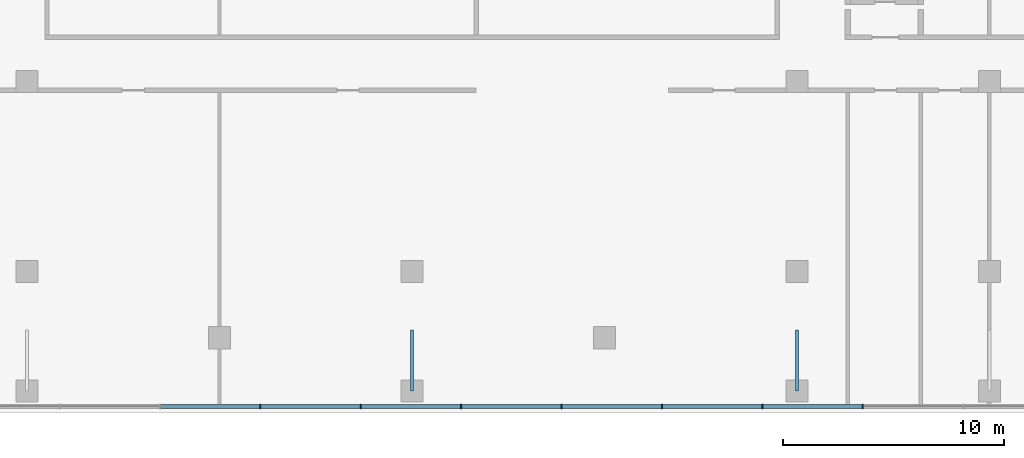
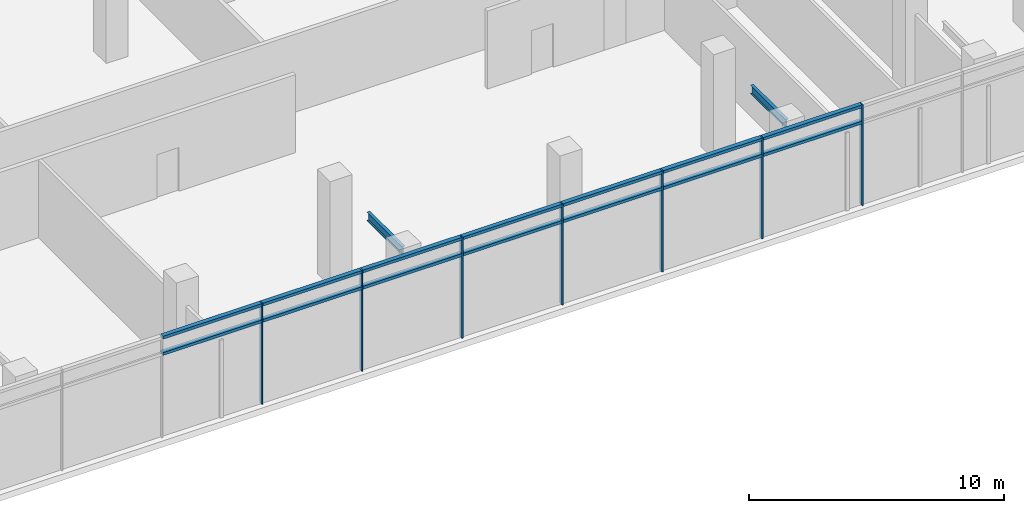
# One storey, part 4 of 17: 21 members, 2 beams, 1 element without a shape of its own.
"""IFC4 building model written with IfcOpenShell, lengths in metres."""

from ifc_helpers import new_model, si_unit, direction, frame, origin, origin_2d, place, context, subcontext, project, spatial, rectangle, i_section, extrude, material, material_profile, profile_set, type_object, element, aggregate, save


model = new_model("IFC4")

# Units and contexts
model_context = context("Model", 3, precision=1e-05, world=origin(), true_north=direction((0.0, 1.0)))
body_context = subcontext(model_context, "Body", "Model", "MODEL_VIEW")
ifc_project = project(units=[si_unit("LENGTHUNIT", "METRE"), si_unit("AREAUNIT", "SQUARE_METRE"), si_unit("VOLUMEUNIT", "CUBIC_METRE"), si_unit("PLANEANGLEUNIT", "RADIAN"), si_unit("MASSUNIT", "GRAM", prefix="KILO")], contexts=[model_context])

# Site, building, storey
site_placement = place(None, origin())
site = spatial("IfcSite", under=ifc_project, at=site_placement, CompositionType="ELEMENT")
building_placement = place(site_placement, origin())
building = spatial("IfcBuilding", under=site, at=building_placement, Name="Bicima Exchange Tower", CompositionType="ELEMENT")
storey_placement = place(building_placement, frame((0.0, 0.0, 30.0)))
storey = spatial("IfcBuildingStorey", under=building, at=storey_placement, Name="L05", CompositionType="ELEMENT", Elevation=30.0)

# Curtain wall, members
ifc_material_1 = material(Name="Anodised bronze aluminium", Category="aluminium")
curtain_wall_type = type_object("IfcCurtainWallType", Name="Lobby glazing", PredefinedType="NOTDEFINED", material=ifc_material_1)
curtain_wall_placement = place(storey_placement, origin())
curtain_wall = element("IfcCurtainWall", 1, at=curtain_wall_placement, inside=storey, type_object=curtain_wall_type, Name="Podium glazing L05 south 1", PredefinedType="NOTDEFINED")
ifc_material_profile_1 = material_profile(ifc_material_1, rectangle(XDim=0.199951171875, YDim=0.06005859375, at=origin_2d()))
ifc_profile_set_1 = profile_set([ifc_material_profile_1], Name="Anodised bronze aluminium")
member_type_1 = type_object("IfcMemberType", Name="Lobby glazing mullion 60 x 200", PredefinedType="MULLION", material=ifc_profile_set_1)
member_1_placement = place(storey_placement, frame((-6.8583984375, -45.699951171875, 0.0), z_axis=(0.0, 0.0, 1.0), x_axis=(0.0, 1.0, 0.0)))
member_1 = element("IfcMember", 2, at=member_1_placement, type_object=member_type_1, Name="Lobby glazing mullion 9", PredefinedType="MULLION", context=body_context, shape_type="SweptSolid", body=[
    extrude(rectangle(XDim=0.199951171875, YDim=0.06005859375, at=origin_2d()), origin(), (0.0, 0.0, 1.0), 4.85009765625),
])
member_2_placement = place(storey_placement, frame((-2.319580078125, -45.699951171875, 0.0), z_axis=(0.0, 0.0, 1.0), x_axis=(0.0, 1.0, 0.0)))
member_2 = element("IfcMember", 3, at=member_2_placement, type_object=member_type_1, Name="Lobby glazing mullion 10", PredefinedType="MULLION", context=body_context, shape_type="SweptSolid", body=[
    extrude(rectangle(XDim=0.199951171875, YDim=0.06005859375, at=origin_2d()), origin(), (0.0, 0.0, 1.0), 4.85009765625),
])
member_3_placement = place(storey_placement, frame((2.219482421875, -45.699951171875, 0.0), z_axis=(0.0, 0.0, 1.0), x_axis=(0.0, 1.0, 0.0)))
member_3 = element("IfcMember", 4, at=member_3_placement, type_object=member_type_1, Name="Lobby glazing mullion 11", PredefinedType="MULLION", context=body_context, shape_type="SweptSolid", body=[
    extrude(rectangle(XDim=0.199951171875, YDim=0.06005859375, at=origin_2d()), origin(), (0.0, 0.0, 1.0), 4.85009765625),
])
member_4_placement = place(storey_placement, frame((6.75830078125, -45.699951171875, 0.0), z_axis=(0.0, 0.0, 1.0), x_axis=(0.0, 1.0, 0.0)))
member_4 = element("IfcMember", 5, at=member_4_placement, type_object=member_type_1, Name="Lobby glazing mullion 12", PredefinedType="MULLION", context=body_context, shape_type="SweptSolid", body=[
    extrude(rectangle(XDim=0.199951171875, YDim=0.06005859375, at=origin_2d()), origin(), (0.0, 0.0, 1.0), 4.85009765625),
])
member_5_placement = place(storey_placement, frame((11.29736328125, -45.699951171875, 0.0), z_axis=(0.0, 0.0, 1.0), x_axis=(0.0, 1.0, 0.0)))
member_5 = element("IfcMember", 6, at=member_5_placement, type_object=member_type_1, Name="Lobby glazing mullion 13", PredefinedType="MULLION", context=body_context, shape_type="SweptSolid", body=[
    extrude(rectangle(XDim=0.199951171875, YDim=0.06005859375, at=origin_2d()), origin(), (0.0, 0.0, 1.0), 4.85009765625),
])
member_6_placement = place(storey_placement, frame((15.836181640625, -45.699951171875, 0.0), z_axis=(0.0, 0.0, 1.0), x_axis=(0.0, 1.0, 0.0)))
member_6 = element("IfcMember", 7, at=member_6_placement, type_object=member_type_1, Name="Lobby glazing mullion 14", PredefinedType="MULLION", context=body_context, shape_type="SweptSolid", body=[
    extrude(rectangle(XDim=0.199951171875, YDim=0.06005859375, at=origin_2d()), origin(), (0.0, 0.0, 1.0), 4.85009765625),
])
member_7_placement = place(storey_placement, frame((20.375244140625, -45.699951171875, 0.0), z_axis=(0.0, 0.0, 1.0), x_axis=(0.0, 1.0, 0.0)))
member_7 = element("IfcMember", 8, at=member_7_placement, type_object=member_type_1, Name="Lobby glazing mullion 15", PredefinedType="MULLION", context=body_context, shape_type="SweptSolid", body=[
    extrude(rectangle(XDim=0.199951171875, YDim=0.06005859375, at=origin_2d()), origin(), (0.0, 0.0, 1.0), 4.85009765625),
])
ifc_material_profile_2 = material_profile(ifc_material_1, rectangle(XDim=0.199951171875, YDim=0.139892578125, at=origin_2d()))
ifc_profile_set_2 = profile_set([ifc_material_profile_2], Name="Anodised bronze aluminium")
member_type_2 = type_object("IfcMemberType", Name="Lobby glazing transom 140 x 200", PredefinedType="USERDEFINED", material=ifc_profile_set_2)
member_8_placement = place(storey_placement, frame((-11.367431640625, -45.699951171875, 4.0), z_axis=(1.0, 0.0, 0.0), x_axis=(0.0, 1.0, 0.0)))
member_8 = element("IfcMember", 9, at=member_8_placement, type_object=member_type_2, Name="Lobby glazing transom 8.1", ObjectType="TRANSOM", PredefinedType="USERDEFINED", context=body_context, shape_type="SweptSolid", body=[
    extrude(rectangle(XDim=0.199951171875, YDim=0.139892578125, at=origin_2d()), origin(), (0.0, 0.0, 1.0), 4.47900390625),
])
member_9_placement = place(storey_placement, frame((-11.367431640625, -45.699951171875, 4.780029296875), z_axis=(1.0, 0.0, 0.0), x_axis=(0.0, 1.0, 0.0)))
member_9 = element("IfcMember", 10, at=member_9_placement, type_object=member_type_2, Name="Lobby glazing transom 8.2", ObjectType="TRANSOM", PredefinedType="USERDEFINED", context=body_context, shape_type="SweptSolid", body=[
    extrude(rectangle(XDim=0.199951171875, YDim=0.139892578125, at=origin_2d()), origin(), (0.0, 0.0, 1.0), 4.47900390625),
])
member_10_placement = place(storey_placement, frame((-6.828369140625, -45.699951171875, 4.0), z_axis=(1.0, 0.0, 0.0), x_axis=(0.0, 1.0, 0.0)))
member_10 = element("IfcMember", 11, at=member_10_placement, type_object=member_type_2, Name="Lobby glazing transom 9.1", ObjectType="TRANSOM", PredefinedType="USERDEFINED", context=body_context, shape_type="SweptSolid", body=[
    extrude(rectangle(XDim=0.199951171875, YDim=0.139892578125, at=origin_2d()), origin(), (0.0, 0.0, 1.0), 4.478759765625),
])
member_11_placement = place(storey_placement, frame((-6.828369140625, -45.699951171875, 4.780029296875), z_axis=(1.0, 0.0, 0.0), x_axis=(0.0, 1.0, 0.0)))
member_11 = element("IfcMember", 12, at=member_11_placement, type_object=member_type_2, Name="Lobby glazing transom 9.2", ObjectType="TRANSOM", PredefinedType="USERDEFINED", context=body_context, shape_type="SweptSolid", body=[
    extrude(rectangle(XDim=0.199951171875, YDim=0.139892578125, at=origin_2d()), origin(), (0.0, 0.0, 1.0), 4.478759765625),
])
member_12_placement = place(storey_placement, frame((-2.28955078125, -45.699951171875, 4.0), z_axis=(1.0, 0.0, 0.0), x_axis=(0.0, 1.0, 0.0)))
member_12 = element("IfcMember", 13, at=member_12_placement, type_object=member_type_2, Name="Lobby glazing transom 10.1", ObjectType="TRANSOM", PredefinedType="USERDEFINED", context=body_context, shape_type="SweptSolid", body=[
    extrude(rectangle(XDim=0.199951171875, YDim=0.139892578125, at=origin_2d()), origin(), (0.0, 0.0, 1.0), 4.47900390625),
])
member_13_placement = place(storey_placement, frame((-2.28955078125, -45.699951171875, 4.780029296875), z_axis=(1.0, 0.0, 0.0), x_axis=(0.0, 1.0, 0.0)))
member_13 = element("IfcMember", 14, at=member_13_placement, type_object=member_type_2, Name="Lobby glazing transom 10.2", ObjectType="TRANSOM", PredefinedType="USERDEFINED", context=body_context, shape_type="SweptSolid", body=[
    extrude(rectangle(XDim=0.199951171875, YDim=0.139892578125, at=origin_2d()), origin(), (0.0, 0.0, 1.0), 4.47900390625),
])
member_14_placement = place(storey_placement, frame((2.24951171875, -45.699951171875, 4.0), z_axis=(1.0, 0.0, 0.0), x_axis=(0.0, 1.0, 0.0)))
member_14 = element("IfcMember", 15, at=member_14_placement, type_object=member_type_2, Name="Lobby glazing transom 11.1", ObjectType="TRANSOM", PredefinedType="USERDEFINED", context=body_context, shape_type="SweptSolid", body=[
    extrude(rectangle(XDim=0.199951171875, YDim=0.139892578125, at=origin_2d()), origin(), (0.0, 0.0, 1.0), 4.47900390625),
])
member_15_placement = place(storey_placement, frame((2.24951171875, -45.699951171875, 4.780029296875), z_axis=(1.0, 0.0, 0.0), x_axis=(0.0, 1.0, 0.0)))
member_15 = element("IfcMember", 16, at=member_15_placement, type_object=member_type_2, Name="Lobby glazing transom 11.2", ObjectType="TRANSOM", PredefinedType="USERDEFINED", context=body_context, shape_type="SweptSolid", body=[
    extrude(rectangle(XDim=0.199951171875, YDim=0.139892578125, at=origin_2d()), origin(), (0.0, 0.0, 1.0), 4.47900390625),
])
member_16_placement = place(storey_placement, frame((6.788330078125, -45.699951171875, 4.0), z_axis=(1.0, 0.0, 0.0), x_axis=(0.0, 1.0, 0.0)))
member_16 = element("IfcMember", 17, at=member_16_placement, type_object=member_type_2, Name="Lobby glazing transom 12.1", ObjectType="TRANSOM", PredefinedType="USERDEFINED", context=body_context, shape_type="SweptSolid", body=[
    extrude(rectangle(XDim=0.199951171875, YDim=0.139892578125, at=origin_2d()), origin(), (0.0, 0.0, 1.0), 4.47900390625),
])
member_17_placement = place(storey_placement, frame((6.788330078125, -45.699951171875, 4.780029296875), z_axis=(1.0, 0.0, 0.0), x_axis=(0.0, 1.0, 0.0)))
member_17 = element("IfcMember", 18, at=member_17_placement, type_object=member_type_2, Name="Lobby glazing transom 12.2", ObjectType="TRANSOM", PredefinedType="USERDEFINED", context=body_context, shape_type="SweptSolid", body=[
    extrude(rectangle(XDim=0.199951171875, YDim=0.139892578125, at=origin_2d()), origin(), (0.0, 0.0, 1.0), 4.47900390625),
])
member_18_placement = place(storey_placement, frame((11.327392578125, -45.699951171875, 4.0), z_axis=(1.0, 0.0, 0.0), x_axis=(0.0, 1.0, 0.0)))
member_18 = element("IfcMember", 19, at=member_18_placement, type_object=member_type_2, Name="Lobby glazing transom 13.1", ObjectType="TRANSOM", PredefinedType="USERDEFINED", context=body_context, shape_type="SweptSolid", body=[
    extrude(rectangle(XDim=0.199951171875, YDim=0.139892578125, at=origin_2d()), origin(), (0.0, 0.0, 1.0), 4.47900390625),
])
member_19_placement = place(storey_placement, frame((11.327392578125, -45.699951171875, 4.780029296875), z_axis=(1.0, 0.0, 0.0), x_axis=(0.0, 1.0, 0.0)))
member_19 = element("IfcMember", 20, at=member_19_placement, type_object=member_type_2, Name="Lobby glazing transom 13.2", ObjectType="TRANSOM", PredefinedType="USERDEFINED", context=body_context, shape_type="SweptSolid", body=[
    extrude(rectangle(XDim=0.199951171875, YDim=0.139892578125, at=origin_2d()), origin(), (0.0, 0.0, 1.0), 4.47900390625),
])
member_20_placement = place(storey_placement, frame((15.8662109375, -45.699951171875, 4.0), z_axis=(1.0, 0.0, 0.0), x_axis=(0.0, 1.0, 0.0)))
member_20 = element("IfcMember", 21, at=member_20_placement, type_object=member_type_2, Name="Lobby glazing transom 14.1", ObjectType="TRANSOM", PredefinedType="USERDEFINED", context=body_context, shape_type="SweptSolid", body=[
    extrude(rectangle(XDim=0.199951171875, YDim=0.139892578125, at=origin_2d()), origin(), (0.0, 0.0, 1.0), 4.47900390625),
])
member_21_placement = place(storey_placement, frame((15.8662109375, -45.699951171875, 4.780029296875), z_axis=(1.0, 0.0, 0.0), x_axis=(0.0, 1.0, 0.0)))
member_21 = element("IfcMember", 22, at=member_21_placement, type_object=member_type_2, Name="Lobby glazing transom 14.2", ObjectType="TRANSOM", PredefinedType="USERDEFINED", context=body_context, shape_type="SweptSolid", body=[
    extrude(rectangle(XDim=0.199951171875, YDim=0.139892578125, at=origin_2d()), origin(), (0.0, 0.0, 1.0), 4.47900390625),
])
aggregate(curtain_wall, [member_1, member_2, member_3, member_4, member_5, member_6, member_7, member_8, member_9, member_10, member_11, member_12, member_13, member_14, member_15, member_16, member_17, member_18, member_19, member_20, member_21])

# Beams
ifc_material_2 = material(Name="Steel ASTM A992 Gr 50", Category="steel")
ifc_material_profile_3 = material_profile(ifc_material_2, i_section(OverallWidth=0.140380859375, OverallDepth=0.40380859375, WebThickness=0.007080078125, FlangeThickness=0.01123046875, at=origin_2d()))
ifc_profile_set_3 = profile_set([ifc_material_profile_3], Name="Steel ASTM A992 Gr 50")
beam_type = type_object("IfcBeamType", Name="Podium roof cantilever beam W16x31", PredefinedType="BEAM", material=ifc_profile_set_3)
for number, where, z_axis, x_axis, name in (
    (23, (0.0, -45.0, 4.498046875), (0.0, 1.0, 0.0), (-1.0, 0.0, 0.0), "Podium roof cantilever beam"),
    (24, (17.39990234375, -45.0, 4.498046875), (0.0, 1.0, 0.0), (-1.0, 0.0, 0.0), "Podium roof cantilever beam"),
):
    element("IfcBeam", number, at=place(storey_placement, frame(where, z_axis=z_axis, x_axis=x_axis)), inside=storey, type_object=beam_type, Name=name, PredefinedType="BEAM", context=body_context, shape_type="SweptSolid", body=[
        extrude(i_section(OverallWidth=0.140380859375, OverallDepth=0.40380859375, WebThickness=0.007080078125, FlangeThickness=0.01123046875, at=origin_2d()), origin(), (0.0, 0.0, 1.0), 2.75),
    ])

save(model, "model.ifc")
